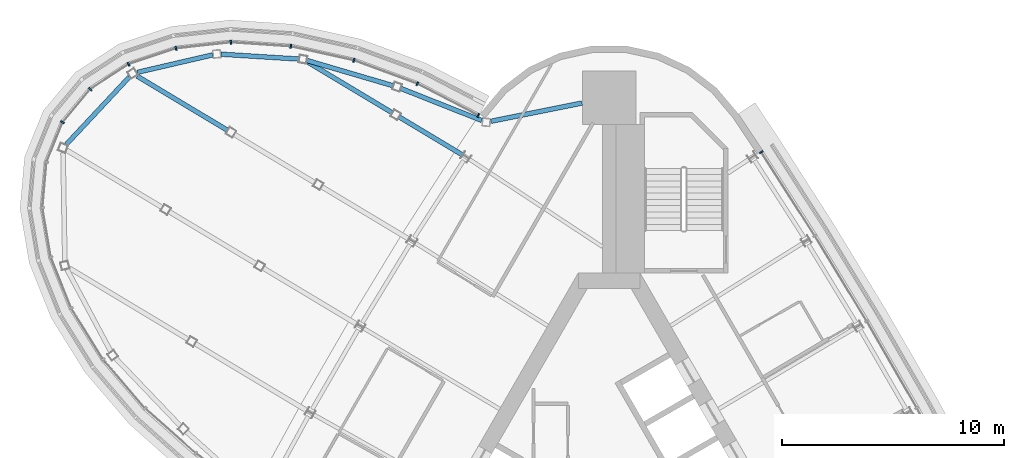
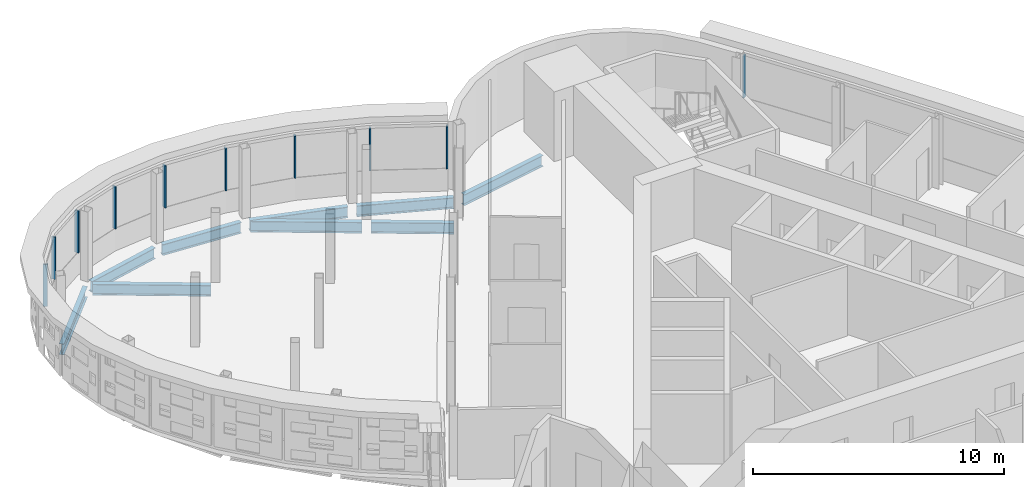
# One storey, part 7 of 13: 10 members, 9 beams, 2 elements without a shape of their own.
"""IFC4 building model written with IfcOpenShell, lengths in metres."""

from ifc_helpers import new_model, si_unit, direction, frame, origin, origin_2d, place, context, subcontext, project, spatial, rectangle, i_section, extrude, material, material_profile, profile_set, type_object, element, aggregate, save


model = new_model("IFC4")

# Units and contexts
model_context = context("Model", 3, precision=1e-05, world=origin(), true_north=direction((0.0, 1.0)))
body_context = subcontext(model_context, "Body", "Model", "MODEL_VIEW")
ifc_project = project(units=[si_unit("LENGTHUNIT", "METRE"), si_unit("AREAUNIT", "SQUARE_METRE"), si_unit("VOLUMEUNIT", "CUBIC_METRE"), si_unit("PLANEANGLEUNIT", "RADIAN"), si_unit("MASSUNIT", "GRAM", prefix="KILO")], contexts=[model_context])

# Site, building, storey
site_placement = place(None, origin())
site = spatial("IfcSite", under=ifc_project, at=site_placement, CompositionType="ELEMENT")
building_placement = place(site_placement, origin())
building = spatial("IfcBuilding", under=site, at=building_placement, Name="Noor Cloister Tower", CompositionType="ELEMENT")
storey_placement = place(building_placement, frame((0.0, 0.0, 267.0)))
storey = spatial("IfcBuildingStorey", under=building, at=storey_placement, Name="L68", CompositionType="ELEMENT", Elevation=267.0)

# Curtain wall, member
ifc_material_1 = material(Name="Aluminium 6063-T6 anodised", Category="aluminium")
curtain_wall_type_1 = type_object("IfcCurtainWallType", Name="Ribbon curtain wall, upper tower CW5", PredefinedType="NOTDEFINED", material=ifc_material_1)
curtain_wall_1_placement = place(storey_placement, origin())
curtain_wall_1 = element("IfcCurtainWall", 1, at=curtain_wall_1_placement, inside=storey, type_object=curtain_wall_type_1, Name="CW5 L68 NE run 4", PredefinedType="NOTDEFINED")
ifc_material_2 = material(Name="Aluminium 6063-T6 anodised", Category="aluminium")
ifc_material_profile_1 = material_profile(ifc_material_2, rectangle(XDim=0.179931640625, YDim=0.070068359375, at=origin_2d()), Name="180 x 70 mullion")
ifc_profile_set_1 = profile_set([ifc_material_profile_1], Name="Aluminium 6063-T6 anodised")
member_type_1 = type_object("IfcMemberType", Name="Mullion CW5 70 x 180", PredefinedType="MULLION", material=ifc_profile_set_1)
member_1_placement = place(storey_placement, frame((6.8359375, 16.884033203125, 1.10009765625), z_axis=(0.0, 0.0, 1.0), x_axis=(-0.841909869013, -0.539618172839, 0.0)))
member_1 = element("IfcMember", 2, at=member_1_placement, type_object=member_type_1, Name="CW5 mullion 6", PredefinedType="MULLION", context=body_context, shape_type="SweptSolid", body=[
    extrude(rectangle(XDim=0.179931640625, YDim=0.070068359375, at=origin_2d()), origin(), (0.0, 0.0, 1.0), 2.0498046875),
])
aggregate(curtain_wall_1, [member_1])

# Curtain wall, members
ifc_material_3 = material(Name="Aluminium 6063-T6 anodised", Category="aluminium")
curtain_wall_type_2 = type_object("IfcCurtainWallType", Name="Sky bar curtain wall, upper bars CW6", PredefinedType="NOTDEFINED", material=ifc_material_3)
curtain_wall_2_placement = place(storey_placement, origin())
curtain_wall_2 = element("IfcCurtainWall", 3, at=curtain_wall_2_placement, inside=storey, type_object=curtain_wall_type_2, Name="CW6 L68 NW sky bar run 1", PredefinedType="NOTDEFINED")
ifc_material_4 = material(Name="Aluminium 6063-T6 anodised", Category="aluminium")
ifc_material_profile_2 = material_profile(ifc_material_4, rectangle(XDim=0.179931640625, YDim=0.070068359375, at=origin_2d()), Name="180 x 70 mullion")
ifc_profile_set_2 = profile_set([ifc_material_profile_2], Name="Aluminium 6063-T6 anodised")
member_type_2 = type_object("IfcMemberType", Name="Mullion CW6 70 x 180", PredefinedType="MULLION", material=ifc_profile_set_2)
member_2_placement = place(storey_placement, frame((-5.886962890625, 18.536865234375, 1.10009765625), z_axis=(0.0, 0.0, 1.0), x_axis=(-0.46081220448, -0.887497668843, 0.0)))
member_2 = element("IfcMember", 4, at=member_2_placement, type_object=member_type_2, Name="CW6 mullion 1", PredefinedType="MULLION", context=body_context, shape_type="SweptSolid", body=[
    extrude(rectangle(XDim=0.179931640625, YDim=0.070068359375, at=origin_2d()), origin(), (0.0, 0.0, 1.0), 2.0498046875),
])
member_3_placement = place(storey_placement, frame((-8.625732421875, 19.958984375, 1.10009765625), z_axis=(0.0, 0.0, 1.0), x_axis=(-0.404177031861, -0.914680778696, 0.0)))
member_3 = element("IfcMember", 5, at=member_3_placement, type_object=member_type_2, Name="CW6 mullion 2", PredefinedType="MULLION", context=body_context, shape_type="SweptSolid", body=[
    extrude(rectangle(XDim=0.179931640625, YDim=0.070068359375, at=origin_2d()), origin(), (0.0, 0.0, 1.0), 2.0498046875),
])
member_4_placement = place(storey_placement, frame((-11.479736328125, 21.01123046875, 1.10009765625), z_axis=(0.0, 0.0, 1.0), x_axis=(-0.281957931584, -0.959426768866, 0.0)))
member_4 = element("IfcMember", 6, at=member_4_placement, type_object=member_type_2, Name="CW6 mullion 3", PredefinedType="MULLION", context=body_context, shape_type="SweptSolid", body=[
    extrude(rectangle(XDim=0.179931640625, YDim=0.070068359375, at=origin_2d()), origin(), (0.0, 0.0, 1.0), 2.0498046875),
])
member_5_placement = place(storey_placement, frame((-14.312255859375, 21.64013671875, 1.10009765625), z_axis=(0.0, 0.0, 1.0), x_axis=(-0.142274116321, -0.989827295959, 0.0)))
member_5 = element("IfcMember", 7, at=member_5_placement, type_object=member_type_2, Name="CW6 mullion 4", PredefinedType="MULLION", context=body_context, shape_type="SweptSolid", body=[
    extrude(rectangle(XDim=0.179931640625, YDim=0.070068359375, at=origin_2d()), origin(), (0.0, 0.0, 1.0), 2.0498046875),
])
member_6_placement = place(storey_placement, frame((-17.013671875, 21.821533203125, 1.10009765625), z_axis=(0.0, 0.0, 1.0), x_axis=(0.021295543387, -0.999773224202, 0.0)))
member_6 = element("IfcMember", 8, at=member_6_placement, type_object=member_type_2, Name="CW6 mullion 5", PredefinedType="MULLION", context=body_context, shape_type="SweptSolid", body=[
    extrude(rectangle(XDim=0.179931640625, YDim=0.070068359375, at=origin_2d()), origin(), (0.0, 0.0, 1.0), 2.0498046875),
])
member_7_placement = place(storey_placement, frame((-19.478759765625, 21.550048828125, 1.10009765625), z_axis=(0.0, 0.0, 1.0), x_axis=(0.214215849584, -0.976786348076, 0.0)))
member_7 = element("IfcMember", 9, at=member_7_placement, type_object=member_type_2, Name="CW6 mullion 6", PredefinedType="MULLION", context=body_context, shape_type="SweptSolid", body=[
    extrude(rectangle(XDim=0.179931640625, YDim=0.070068359375, at=origin_2d()), origin(), (0.0, 0.0, 1.0), 2.0498046875),
])
member_8_placement = place(storey_placement, frame((-21.612060546875, 20.838134765625, 1.10009765625), z_axis=(0.0, 0.0, 1.0), x_axis=(0.434972232459, -0.900443866651, 0.0)))
member_8 = element("IfcMember", 10, at=member_8_placement, type_object=member_type_2, Name="CW6 mullion 7", PredefinedType="MULLION", context=body_context, shape_type="SweptSolid", body=[
    extrude(rectangle(XDim=0.179931640625, YDim=0.070068359375, at=origin_2d()), origin(), (0.0, 0.0, 1.0), 2.0498046875),
])
member_9_placement = place(storey_placement, frame((-23.332763671875, 19.716064453125, 1.10009765625), z_axis=(0.0, 0.0, 1.0), x_axis=(0.663831714211, -0.747881979465, 0.0)))
member_9 = element("IfcMember", 11, at=member_9_placement, type_object=member_type_2, Name="CW6 mullion 8", PredefinedType="MULLION", context=body_context, shape_type="SweptSolid", body=[
    extrude(rectangle(XDim=0.179931640625, YDim=0.070068359375, at=origin_2d()), origin(), (0.0, 0.0, 1.0), 2.0498046875),
])
member_10_placement = place(storey_placement, frame((-24.578125, 18.227783203125, 1.10009765625), z_axis=(0.0, 0.0, 1.0), x_axis=(0.857566797188, -0.514372616262, 0.0)))
member_10 = element("IfcMember", 12, at=member_10_placement, type_object=member_type_2, Name="CW6 mullion 9", PredefinedType="MULLION", context=body_context, shape_type="SweptSolid", body=[
    extrude(rectangle(XDim=0.179931640625, YDim=0.070068359375, at=origin_2d()), origin(), (0.0, 0.0, 1.0), 2.0498046875),
])
aggregate(curtain_wall_2, [member_2, member_3, member_4, member_5, member_6, member_7, member_8, member_9, member_10])

# Beams
ifc_material_5 = material(Name="Steel ASTM A992 Gr 50", Category="steel")
ifc_material_profile_3 = material_profile(ifc_material_5, i_section(OverallWidth=0.208984375, OverallDepth=0.532958984375, WebThickness=0.01025390625, FlangeThickness=0.015625, FilletRadius=0.0126953125, at=origin_2d()), Name="W530x92")
ifc_profile_set_3 = profile_set([ifc_material_profile_3], Name="Steel ASTM A992 Gr 50")
beam_type = type_object("IfcBeamType", Name="Pod floor beam W530x92", PredefinedType="BEAM", material=ifc_profile_set_3)
beam_1_placement = place(storey_placement, frame((-6.600341796875, 16.760498046875, -0.466552734375), z_axis=(-0.857564350838, 0.514376694817, 0.0), x_axis=(-0.514376694817, -0.857564350838, 0.0)))
element("IfcBeam", 13, at=beam_1_placement, inside=storey, type_object=beam_type, Name="Pod floor beam 5 L68 line 1 span 1", PredefinedType="BEAM", context=body_context, shape_type="SweptSolid", body=[
    extrude(i_section(OverallWidth=0.208984375, OverallDepth=0.532958984375, WebThickness=0.01025390625, FlangeThickness=0.015625, FilletRadius=0.0126953125, at=origin_2d()), origin(), (0.0, 0.0, 1.0), 3.317138671875),
])
beam_2_placement = place(storey_placement, frame((-9.750244140625, 18.64990234375, -0.466552734375), z_axis=(-0.857580022584, 0.514350566116, 0.0), x_axis=(-0.514350566116, -0.857580022584, 0.0)))
element("IfcBeam", 14, at=beam_2_placement, inside=storey, type_object=beam_type, Name="Pod floor beam 5 L68 line 1 span 2", PredefinedType="BEAM", context=body_context, shape_type="SweptSolid", body=[
    extrude(i_section(OverallWidth=0.208984375, OverallDepth=0.532958984375, WebThickness=0.01025390625, FlangeThickness=0.015625, FilletRadius=0.0126953125, at=origin_2d()), origin(), (0.0, 0.0, 1.0), 4.451416015625),
])
beam_3_placement = place(storey_placement, frame((-17.157470703125, 17.86279296875, -0.466552734375), z_axis=(-0.857579324636, 0.514351729808, 0.0), x_axis=(-0.514351729808, -0.857579324636, 0.0)))
element("IfcBeam", 15, at=beam_3_placement, inside=storey, type_object=beam_type, Name="Pod floor beam 5 L68 line 2 span 3", PredefinedType="BEAM", context=body_context, shape_type="SweptSolid", body=[
    extrude(i_section(OverallWidth=0.208984375, OverallDepth=0.532958984375, WebThickness=0.01025390625, FlangeThickness=0.015625, FilletRadius=0.0126953125, at=origin_2d()), origin(), (0.0, 0.0, 1.0), 4.736572265625),
])
beam_4_placement = place(storey_placement, frame((-1.220458984375, 19.0908203125, -0.466552734375), z_axis=(-0.980551450431, -0.196262204862, 0.0), x_axis=(0.196262204862, -0.980551450431, 0.0)))
element("IfcBeam", 16, at=beam_4_placement, inside=storey, type_object=beam_type, Name="Pod floor beam 5 L68 ring 1", PredefinedType="BEAM", context=body_context, shape_type="SweptSolid", body=[
    extrude(i_section(OverallWidth=0.208984375, OverallDepth=0.532958984375, WebThickness=0.01025390625, FlangeThickness=0.015625, FilletRadius=0.0126953125, at=origin_2d()), origin(), (0.0, 0.0, 1.0), 4.178466796875),
])
beam_5_placement = place(storey_placement, frame((-5.73095703125, 18.308349609375, -0.466552734375), z_axis=(-0.929762548577, 0.368159752367, 0.0), x_axis=(-0.368159752367, -0.929762548577, 0.0)))
element("IfcBeam", 17, at=beam_5_placement, inside=storey, type_object=beam_type, Name="Pod floor beam 5 L68 ring 2", PredefinedType="BEAM", context=body_context, shape_type="SweptSolid", body=[
    extrude(i_section(OverallWidth=0.208984375, OverallDepth=0.532958984375, WebThickness=0.01025390625, FlangeThickness=0.015625, FilletRadius=0.0126953125, at=origin_2d()), origin(), (0.0, 0.0, 1.0), 3.9111328125),
])
beam_6_placement = place(storey_placement, frame((-9.713134765625, 19.8671875, -0.466552734375), z_axis=(-0.959440670198, 0.281910624791, 0.0), x_axis=(-0.281910624791, -0.959440670198, 0.0)))
element("IfcBeam", 18, at=beam_6_placement, inside=storey, type_object=beam_type, Name="Pod floor beam 5 L68 ring 3", PredefinedType="BEAM", context=body_context, shape_type="SweptSolid", body=[
    extrude(i_section(OverallWidth=0.208984375, OverallDepth=0.532958984375, WebThickness=0.01025390625, FlangeThickness=0.015625, FilletRadius=0.0126953125, at=origin_2d()), origin(), (0.0, 0.0, 1.0), 4.0322265625),
])
beam_7_placement = place(storey_placement, frame((-13.955322265625, 21.0693359375, -0.466552734375), z_axis=(-0.998058544346, 0.062282758917, 0.0), x_axis=(-0.062282758917, -0.998058544346, 0.0)))
element("IfcBeam", 19, at=beam_7_placement, inside=storey, type_object=beam_type, Name="Pod floor beam 5 L68 ring 4", PredefinedType="BEAM", context=body_context, shape_type="SweptSolid", body=[
    extrude(i_section(OverallWidth=0.208984375, OverallDepth=0.532958984375, WebThickness=0.01025390625, FlangeThickness=0.015625, FilletRadius=0.0126953125, at=origin_2d()), origin(), (0.0, 0.0, 1.0), 3.50048828125),
])
beam_8_placement = place(storey_placement, frame((-17.833984375, 21.25537109375, -0.466552734375), z_axis=(-0.974161467684, -0.225852684022, 0.0), x_axis=(0.225852684022, -0.974161467684, 0.0)))
element("IfcBeam", 20, at=beam_8_placement, inside=storey, type_object=beam_type, Name="Pod floor beam 5 L68 ring 5", PredefinedType="BEAM", context=body_context, shape_type="SweptSolid", body=[
    extrude(i_section(OverallWidth=0.208984375, OverallDepth=0.532958984375, WebThickness=0.01025390625, FlangeThickness=0.015625, FilletRadius=0.0126953125, at=origin_2d()), origin(), (0.0, 0.0, 1.0), 3.464599609375),
])
beam_9_placement = place(storey_placement, frame((-21.5712890625, 20.2666015625, -0.466552734375), z_axis=(-0.683011077874, -0.730408014401, 0.0), x_axis=(0.730408014401, -0.683011077874, 0.0)))
element("IfcBeam", 21, at=beam_9_placement, inside=storey, type_object=beam_type, Name="Pod floor beam 5 L68 ring 6", PredefinedType="BEAM", context=body_context, shape_type="SweptSolid", body=[
    extrude(i_section(OverallWidth=0.208984375, OverallDepth=0.532958984375, WebThickness=0.01025390625, FlangeThickness=0.015625, FilletRadius=0.0126953125, at=origin_2d()), origin(), (0.0, 0.0, 1.0), 4.141357421875),
])

save(model, "model.ifc")
